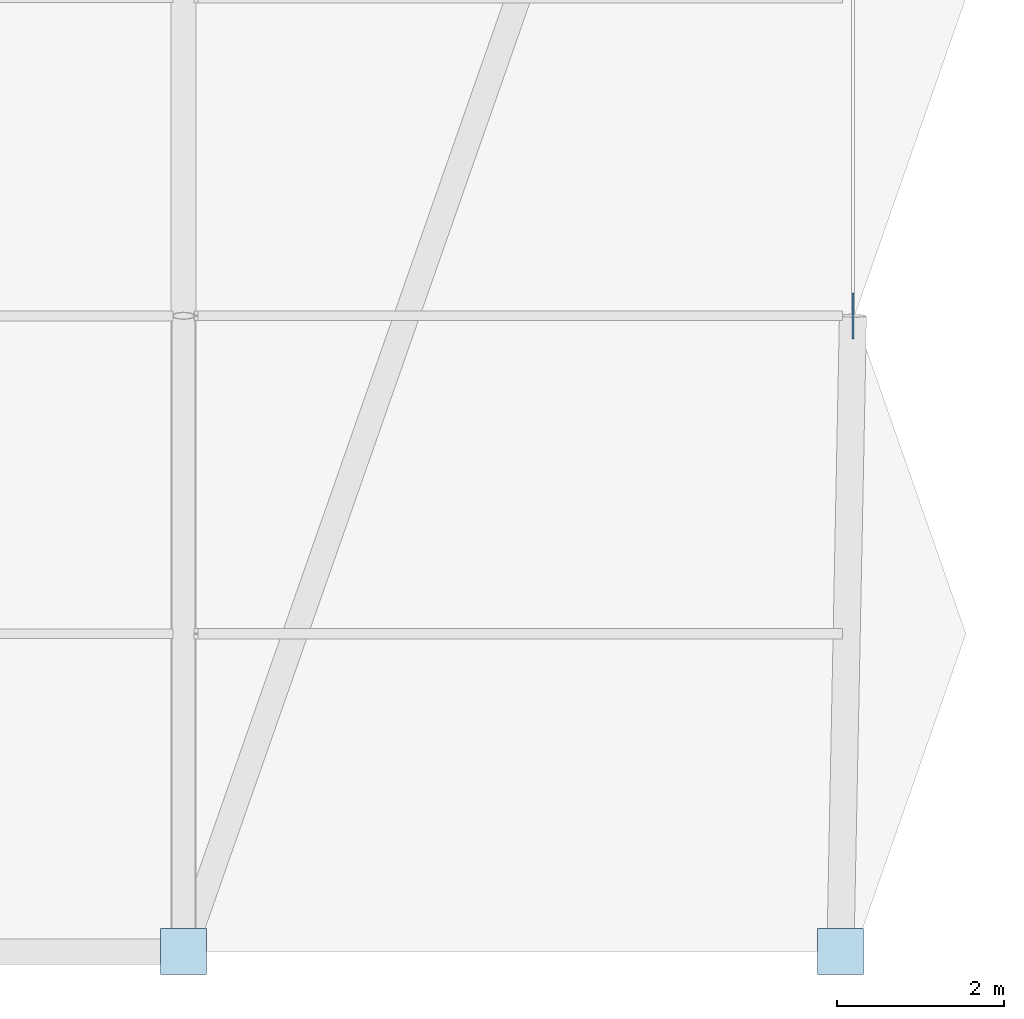
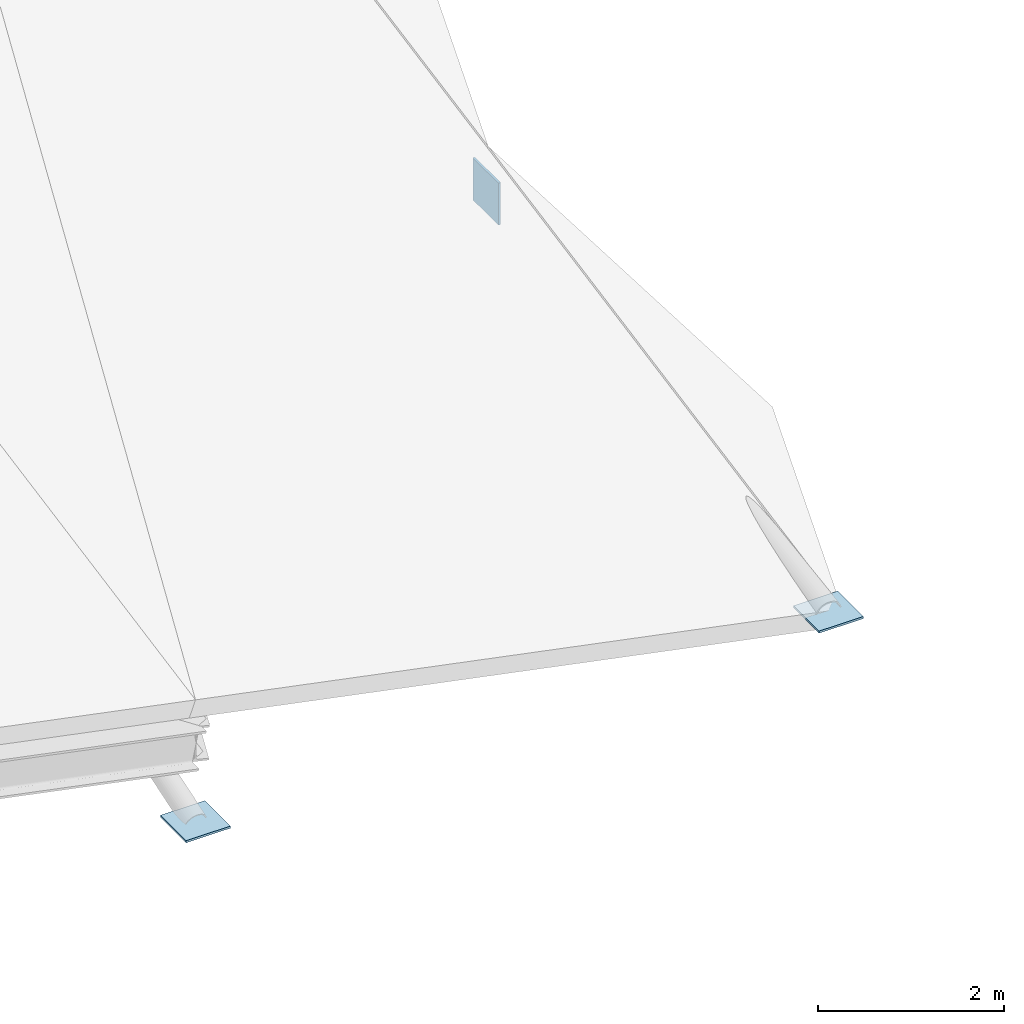
# One storey, part 5 of 9: 3 plates.
"""IFC4 building model written with IfcOpenShell, lengths in metres."""

from ifc_helpers import new_model, si_unit, direction, frame, origin, origin_2d, place, context, subcontext, project, spatial, rectangle, extrude, material, layer, layer_set, type_object, element, save


model = new_model("IFC4")

# Units and contexts
model_context = context("Model", 3, precision=1e-05, world=origin(), true_north=direction((0.0, 1.0)))
body_context = subcontext(model_context, "Body", "Model", "MODEL_VIEW")
ifc_project = project(units=[si_unit("LENGTHUNIT", "METRE"), si_unit("AREAUNIT", "SQUARE_METRE"), si_unit("VOLUMEUNIT", "CUBIC_METRE"), si_unit("PLANEANGLEUNIT", "RADIAN"), si_unit("MASSUNIT", "GRAM", prefix="KILO")], contexts=[model_context])

# Site, building, storey
site_placement = place(None, origin())
site = spatial("IfcSite", under=ifc_project, at=site_placement, CompositionType="ELEMENT")
building_placement = place(site_placement, origin())
building = spatial("IfcBuilding", under=site, at=building_placement, Name="Khelvaren Railside Concert Hall", CompositionType="ELEMENT")
storey_placement = place(building_placement, frame((0.0, 0.0, 29.39990234375)))
storey = spatial("IfcBuildingStorey", under=building, at=storey_placement, Name="ROOF", CompositionType="ELEMENT", Elevation=29.39990234375)

# Plates
ifc_material = material(Name="Steel S355", Category="steel")
ifc_layer = layer(ifc_material, 0.028076171875)
ifc_layer_set = layer_set([ifc_layer], Name="Steel S355")
plate_type = type_object("IfcPlateType", Name="GP71", PredefinedType="USERDEFINED", material=ifc_layer_set)
for number, where, z_axis, x_axis, name in (
    (1, (48.0, 0.0, -2.59912109375), (0.0, 0.0, 1.0), (1.0, 0.0, 0.0), "Crystal Raking Strut Base Plate B7-S"),
    (2, (55.85009765625, 0.0, -2.59912109375), (0.0, 0.0, 1.0), (1.0, 0.0, 0.0), "Crystal Raking Strut Base Plate End-SE"),
):
    element("IfcPlate", number, at=place(storey_placement, frame(where, z_axis=z_axis, x_axis=x_axis)), inside=storey, type_object=plate_type, Name=name, ObjectType="GUSSET PLATE", PredefinedType="USERDEFINED", context=body_context, shape_type="SweptSolid", body=[
        extrude(rectangle(XDim=0.550048828125, YDim=0.550048828125, at=origin_2d()), origin(), (0.0, 0.0, 1.0), 0.028076171875),
    ])
plate_placement = place(storey_placement, frame((56.0, 7.60009765625, -2.0009765625), z_axis=(0.0, 0.0, 1.0), x_axis=(1.0, 0.0, 0.0)))
element("IfcPlate", 3, at=plate_placement, inside=storey, type_object=plate_type, Name="Crystal Raking Strut Top Node Cap End-SE", ObjectType="GUSSET PLATE", PredefinedType="USERDEFINED", context=body_context, shape_type="SweptSolid", body=[
    extrude(rectangle(XDim=0.028076171875, YDim=0.550048828125, at=origin_2d()), origin(), (0.0, 0.0, 1.0), 0.550048828125),
])

save(model, "model.ifc")
